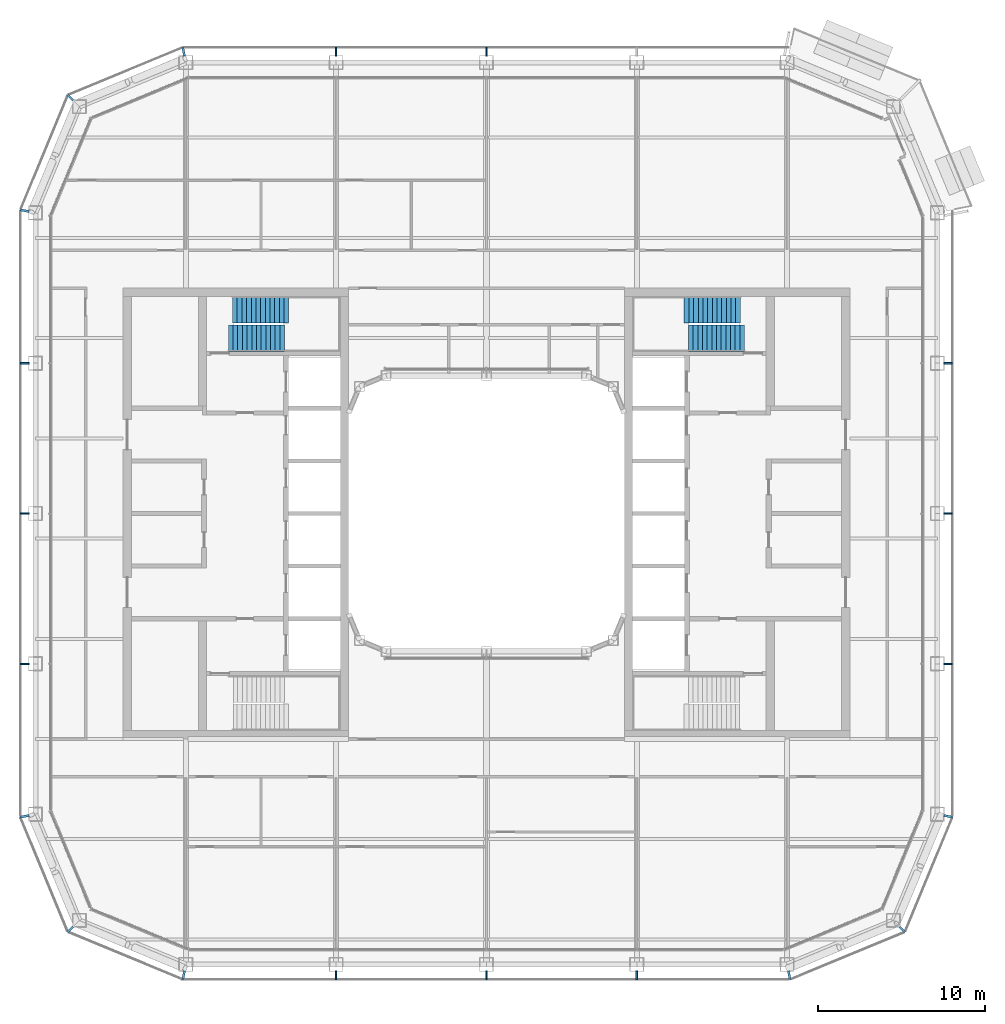
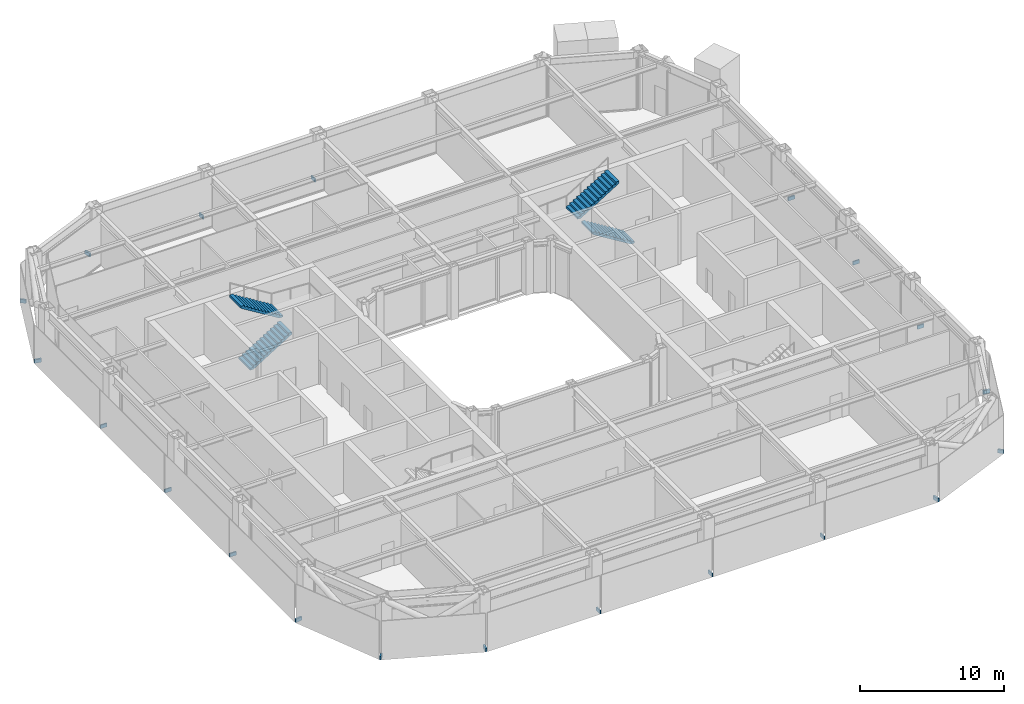
# One storey, part 16 of 23: 20 discrete accessories, 4 stair flights, 2 elements without a shape of their own.
"""IFC4 building model written with IfcOpenShell, lengths in metres."""

from ifc_helpers import new_model, si_unit, direction, frame, origin, origin_2d, place, context, subcontext, project, spatial, polyline, rectangle, outline, extrude, material, type_object, element, aggregate, save


model = new_model("IFC4")

# Units and contexts
model_context = context("Model", 3, precision=1e-05, world=origin(), true_north=direction((0.0, 1.0)))
body_context = subcontext(model_context, "Body", "Model", "MODEL_VIEW")
ifc_project = project(units=[si_unit("LENGTHUNIT", "METRE"), si_unit("AREAUNIT", "SQUARE_METRE"), si_unit("VOLUMEUNIT", "CUBIC_METRE"), si_unit("PLANEANGLEUNIT", "RADIAN"), si_unit("MASSUNIT", "GRAM", prefix="KILO")], contexts=[model_context])

# Site, building, storey
site_placement = place(None, origin())
site = spatial("IfcSite", under=ifc_project, at=site_placement, CompositionType="ELEMENT")
building_placement = place(site_placement, origin())
building = spatial("IfcBuilding", under=site, at=building_placement, Name="Siwar Civic Tower", CompositionType="ELEMENT")
storey_placement = place(building_placement, frame((0.0, 0.0, 224.199951171875)))
storey = spatial("IfcBuildingStorey", under=building, at=storey_placement, Name="L48", CompositionType="ELEMENT", Elevation=224.199951171875)

# Stair, stair flights
ifc_material_1 = material(Name="Concrete C40/50", Category="concrete")
stair_type = type_object("IfcStairType", Name="CORE-STAIR", PredefinedType="TWO_STRAIGHT_RUN_STAIR", material=ifc_material_1)
stair_1_placement = place(storey_placement, origin())
stair_1 = element("IfcStair", 1, at=stair_1_placement, inside=storey, type_object=stair_type, Name="Exit stair ST1", PredefinedType="TWO_STRAIGHT_RUN_STAIR")
ifc_material_2 = material(Name="Concrete C40/50", Category="concrete")
stair_flight_type = type_object("IfcStairFlightType", Name="CORE-STAIR-FLIGHT", PredefinedType="STRAIGHT", material=ifc_material_2)
stair_flight_1_placement = place(storey_placement, frame((-15.449951171875, 10.5, 0.0), z_axis=(0.0, 0.0, 1.0), x_axis=(1.0, 0.0, 0.0)))
stair_flight_1 = element("IfcStairFlight", 2, at=stair_flight_1_placement, type_object=stair_flight_type, Name="ST1 flight 1", NumberOfRisers=13, NumberOfTreads=12, PredefinedType="STRAIGHT", RiserHeight=0.173076923, TreadLength=0.28, context=body_context, shape_type="SweptSolid", body=[
    extrude(outline(polyline([(0.0, 0.0), (0.0, 0.173095703125), (0.280029296875, 0.173095703125), (0.280029296875, 0.34619140625), (0.56005859375, 0.34619140625), (0.56005859375, 0.519287109375), (0.840087890625, 0.519287109375), (0.840087890625, 0.6923828125), (1.1201171875, 0.6923828125), (1.1201171875, 0.865478515625), (1.39990234375, 0.865478515625), (1.39990234375, 1.03857421875), (1.679931640625, 1.03857421875), (1.679931640625, 1.21142578125), (1.9599609375, 1.21142578125), (1.9599609375, 1.384521484375), (2.239990234375, 1.384521484375), (2.239990234375, 1.5576171875), (2.52001953125, 1.5576171875), (2.52001953125, 1.730712890625), (2.800048828125, 1.730712890625), (2.800048828125, 1.90380859375), (3.080078125, 1.90380859375), (3.080078125, 2.076904296875), (3.360107421875, 2.076904296875), (3.360107421875, 2.25), (3.360107421875, 1.900634765625), (0.28515625, 0.0), (0.0, 0.0)])), frame((0.0, 0.800048828125, 0.0), z_axis=(0.0, -1.0, 0.0), x_axis=(1.0, 0.0, 0.0)), (0.0, 0.0, 1.0), 1.60009765625),
])
stair_flight_2_placement = place(storey_placement, frame((-11.840087890625, 12.199951171875, 2.25), z_axis=(0.0, 0.0, 1.0), x_axis=(-1.0, 0.0, 0.0)))
stair_flight_2 = element("IfcStairFlight", 3, at=stair_flight_2_placement, type_object=stair_flight_type, Name="ST1 flight 2", NumberOfRisers=13, NumberOfTreads=12, PredefinedType="STRAIGHT", RiserHeight=0.173076923, TreadLength=0.28, context=body_context, shape_type="SweptSolid", body=[
    extrude(outline(polyline([(0.0, 0.0), (0.0, 0.173095703125), (0.280029296875, 0.173095703125), (0.280029296875, 0.34619140625), (0.56005859375, 0.34619140625), (0.56005859375, 0.519287109375), (0.840087890625, 0.519287109375), (0.840087890625, 0.6923828125), (1.1201171875, 0.6923828125), (1.1201171875, 0.865478515625), (1.39990234375, 0.865478515625), (1.39990234375, 1.03857421875), (1.679931640625, 1.03857421875), (1.679931640625, 1.21142578125), (1.9599609375, 1.21142578125), (1.9599609375, 1.384521484375), (2.239990234375, 1.384521484375), (2.239990234375, 1.5576171875), (2.52001953125, 1.5576171875), (2.52001953125, 1.730712890625), (2.800048828125, 1.730712890625), (2.800048828125, 1.90380859375), (3.080078125, 1.90380859375), (3.080078125, 2.076904296875), (3.360107421875, 2.076904296875), (3.360107421875, 2.25), (3.360107421875, 1.900634765625), (0.28515625, 0.0), (0.0, 0.0)])), frame((0.0, 0.800048828125, 0.0), z_axis=(0.0, -1.0, 0.0), x_axis=(1.0, 0.0, 0.0)), (0.0, 0.0, 1.0), 1.60009765625),
])
aggregate(stair_1, [stair_flight_1, stair_flight_2])

stair_2_placement = place(storey_placement, origin())
stair_2 = element("IfcStair", 4, at=stair_2_placement, inside=storey, type_object=stair_type, Name="Exit stair ST3", PredefinedType="TWO_STRAIGHT_RUN_STAIR")
stair_flight_3_placement = place(storey_placement, frame((15.449951171875, 10.5, 0.0), z_axis=(0.0, 0.0, 1.0), x_axis=(-1.0, 0.0, 0.0)))
stair_flight_3 = element("IfcStairFlight", 5, at=stair_flight_3_placement, type_object=stair_flight_type, Name="ST3 flight 1", NumberOfRisers=13, NumberOfTreads=12, PredefinedType="STRAIGHT", RiserHeight=0.173076923, TreadLength=0.28, context=body_context, shape_type="SweptSolid", body=[
    extrude(outline(polyline([(0.0, 0.0), (0.0, 0.173095703125), (0.280029296875, 0.173095703125), (0.280029296875, 0.34619140625), (0.56005859375, 0.34619140625), (0.56005859375, 0.519287109375), (0.840087890625, 0.519287109375), (0.840087890625, 0.6923828125), (1.1201171875, 0.6923828125), (1.1201171875, 0.865478515625), (1.39990234375, 0.865478515625), (1.39990234375, 1.03857421875), (1.679931640625, 1.03857421875), (1.679931640625, 1.21142578125), (1.9599609375, 1.21142578125), (1.9599609375, 1.384521484375), (2.239990234375, 1.384521484375), (2.239990234375, 1.5576171875), (2.52001953125, 1.5576171875), (2.52001953125, 1.730712890625), (2.800048828125, 1.730712890625), (2.800048828125, 1.90380859375), (3.080078125, 1.90380859375), (3.080078125, 2.076904296875), (3.360107421875, 2.076904296875), (3.360107421875, 2.25), (3.360107421875, 1.900634765625), (0.28515625, 0.0), (0.0, 0.0)])), frame((0.0, 0.800048828125, 0.0), z_axis=(0.0, -1.0, 0.0), x_axis=(1.0, 0.0, 0.0)), (0.0, 0.0, 1.0), 1.60009765625),
])
stair_flight_4_placement = place(storey_placement, frame((11.840087890625, 12.199951171875, 2.25), z_axis=(0.0, 0.0, 1.0), x_axis=(1.0, 0.0, 0.0)))
stair_flight_4 = element("IfcStairFlight", 6, at=stair_flight_4_placement, type_object=stair_flight_type, Name="ST3 flight 2", NumberOfRisers=13, NumberOfTreads=12, PredefinedType="STRAIGHT", RiserHeight=0.173076923, TreadLength=0.28, context=body_context, shape_type="SweptSolid", body=[
    extrude(outline(polyline([(0.0, 0.0), (0.0, 0.173095703125), (0.280029296875, 0.173095703125), (0.280029296875, 0.34619140625), (0.56005859375, 0.34619140625), (0.56005859375, 0.519287109375), (0.840087890625, 0.519287109375), (0.840087890625, 0.6923828125), (1.1201171875, 0.6923828125), (1.1201171875, 0.865478515625), (1.39990234375, 0.865478515625), (1.39990234375, 1.03857421875), (1.679931640625, 1.03857421875), (1.679931640625, 1.21142578125), (1.9599609375, 1.21142578125), (1.9599609375, 1.384521484375), (2.239990234375, 1.384521484375), (2.239990234375, 1.5576171875), (2.52001953125, 1.5576171875), (2.52001953125, 1.730712890625), (2.800048828125, 1.730712890625), (2.800048828125, 1.90380859375), (3.080078125, 1.90380859375), (3.080078125, 2.076904296875), (3.360107421875, 2.076904296875), (3.360107421875, 2.25), (3.360107421875, 1.900634765625), (0.28515625, 0.0), (0.0, 0.0)])), frame((0.0, 0.800048828125, 0.0), z_axis=(0.0, -1.0, 0.0), x_axis=(1.0, 0.0, 0.0)), (0.0, 0.0, 1.0), 1.60009765625),
])
aggregate(stair_2, [stair_flight_3, stair_flight_4])

# Discrete accessories
ifc_material_3 = material(Name="Stainless steel 316", Category="steel")
discrete_accessory_type = type_object("IfcDiscreteAccessoryType", Name="ENV-BRACKET", PredefinedType="BRACKET", material=ifc_material_3)
for number, where, z_axis, x_axis, name in (
    (7, (27.639892578125, -9.0, -0.14990234375), (0.0, 0.0, 1.0), (1.0, 0.0, 0.0), "Bracket outer skin joint E-01"),
    (8, (27.639892578125, 0.0, -0.14990234375), (0.0, 0.0, 1.0), (1.0, 0.0, 0.0), "Bracket outer skin joint E-02"),
    (9, (27.639892578125, 9.0, -0.14990234375), (0.0, 0.0, 1.0), (1.0, 0.0, 0.0), "Bracket outer skin joint E-03"),
    (10, (0.0, 27.639892578125, -0.14990234375), (0.0, 0.0, 1.0), (0.0, 1.0, 0.0), "Bracket outer skin joint N-02"),
    (11, (-9.0, 27.639892578125, -0.14990234375), (0.0, 0.0, 1.0), (0.0, 1.0, 0.0), "Bracket outer skin joint N-03"),
    (12, (-9.0, -27.639892578125, -0.14990234375), (0.0, 0.0, 1.0), (0.0, -1.0, 0.0), "Bracket outer skin joint S-01"),
    (13, (0.0, -27.639892578125, -0.14990234375), (0.0, 0.0, 1.0), (0.0, -1.0, 0.0), "Bracket outer skin joint S-02"),
    (14, (9.0, -27.639892578125, -0.14990234375), (0.0, 0.0, 1.0), (0.0, -1.0, 0.0), "Bracket outer skin joint S-03"),
):
    element("IfcDiscreteAccessory", number, at=place(storey_placement, frame(where, z_axis=z_axis, x_axis=x_axis)), inside=storey, type_object=discrete_accessory_type, Name=name, PredefinedType="BRACKET", context=body_context, shape_type="SweptSolid", body=[
        extrude(rectangle(XDim=0.52001953125, YDim=0.10009765625, at=origin_2d()), origin(), (0.0, 0.0, 1.0), 0.300048828125),
    ])
for number, where, z_axis, x_axis, name in (
    (15, (-18.12744140625, -27.64013671875, -0.14990234375), (0.0, 0.0, 1.0), (-0.195090322016, -0.980785280403, 0.0), "Bracket outer skin joint V00"),
    (16, (18.12744140625, -27.64013671875, -0.14990234375), (0.0, 0.0, 1.0), (0.195090322016, -0.980785280403, 0.0), "Bracket outer skin joint V01"),
):
    element("IfcDiscreteAccessory", number, at=place(storey_placement, frame(where, z_axis=z_axis, x_axis=x_axis)), inside=storey, type_object=discrete_accessory_type, Name=name, PredefinedType="BRACKET", context=body_context, shape_type="SweptSolid", body=[
        extrude(rectangle(XDim=0.52978515625, YDim=0.13720703125, at=origin_2d()), origin(), (0.0, 0.0, 1.0), 0.300048828125),
    ])
discrete_accessory_1_placement = place(storey_placement, frame((24.9013671875, -24.9013671875, -0.14990234375), z_axis=(0.0, 0.0, 1.0), x_axis=(0.707106781187, -0.707106781187, 0.0)))
element("IfcDiscreteAccessory", 17, at=discrete_accessory_1_placement, inside=storey, type_object=discrete_accessory_type, Name="Bracket outer skin joint V02", PredefinedType="BRACKET", context=body_context, shape_type="SweptSolid", body=[
    extrude(rectangle(XDim=0.428466796875, YDim=0.12939453125, at=origin_2d()), origin(), (0.0, 0.0, 1.0), 0.300048828125),
])
for number, where, z_axis, x_axis, name in (
    (18, (27.64013671875, -18.12744140625, -0.14990234375), (0.0, 0.0, 1.0), (0.980785280403, -0.195090322016, 0.0), "Bracket outer skin joint V03"),
    (19, (-18.12744140625, 27.64013671875, -0.14990234375), (0.0, 0.0, 1.0), (-0.195090322016, 0.980785280403, 0.0), "Bracket outer skin joint V07"),
):
    element("IfcDiscreteAccessory", number, at=place(storey_placement, frame(where, z_axis=z_axis, x_axis=x_axis)), inside=storey, type_object=discrete_accessory_type, Name=name, PredefinedType="BRACKET", context=body_context, shape_type="SweptSolid", body=[
        extrude(rectangle(XDim=0.52978515625, YDim=0.13720703125, at=origin_2d()), origin(), (0.0, 0.0, 1.0), 0.300048828125),
    ])
discrete_accessory_2_placement = place(storey_placement, frame((-24.9013671875, 24.9013671875, -0.14990234375), z_axis=(0.0, 0.0, 1.0), x_axis=(-0.707106781187, 0.707106781187, 0.0)))
element("IfcDiscreteAccessory", 20, at=discrete_accessory_2_placement, inside=storey, type_object=discrete_accessory_type, Name="Bracket outer skin joint V08", PredefinedType="BRACKET", context=body_context, shape_type="SweptSolid", body=[
    extrude(rectangle(XDim=0.428466796875, YDim=0.12939453125, at=origin_2d()), origin(), (0.0, 0.0, 1.0), 0.300048828125),
])
for number, where, z_axis, x_axis, name in (
    (21, (-27.64013671875, 18.12744140625, -0.14990234375), (0.0, 0.0, 1.0), (-0.980785280403, 0.195090322016, 0.0), "Bracket outer skin joint V09"),
    (22, (-27.64013671875, -18.12744140625, -0.14990234375), (0.0, 0.0, 1.0), (-0.980785280403, -0.195090322016, 0.0), "Bracket outer skin joint V10"),
):
    element("IfcDiscreteAccessory", number, at=place(storey_placement, frame(where, z_axis=z_axis, x_axis=x_axis)), inside=storey, type_object=discrete_accessory_type, Name=name, PredefinedType="BRACKET", context=body_context, shape_type="SweptSolid", body=[
        extrude(rectangle(XDim=0.52978515625, YDim=0.13720703125, at=origin_2d()), origin(), (0.0, 0.0, 1.0), 0.300048828125),
    ])
discrete_accessory_3_placement = place(storey_placement, frame((-24.9013671875, -24.9013671875, -0.14990234375), z_axis=(0.0, 0.0, 1.0), x_axis=(-0.707106781187, -0.707106781187, 0.0)))
element("IfcDiscreteAccessory", 23, at=discrete_accessory_3_placement, inside=storey, type_object=discrete_accessory_type, Name="Bracket outer skin joint V11", PredefinedType="BRACKET", context=body_context, shape_type="SweptSolid", body=[
    extrude(rectangle(XDim=0.428466796875, YDim=0.12939453125, at=origin_2d()), origin(), (0.0, 0.0, 1.0), 0.300048828125),
])
for number, where, z_axis, x_axis, name in (
    (24, (-27.639892578125, 9.0, -0.14990234375), (0.0, 0.0, 1.0), (-1.0, 0.0, 0.0), "Bracket outer skin joint W-01"),
    (25, (-27.639892578125, 0.0, -0.14990234375), (0.0, 0.0, 1.0), (-1.0, 0.0, 0.0), "Bracket outer skin joint W-02"),
    (26, (-27.639892578125, -9.0, -0.14990234375), (0.0, 0.0, 1.0), (-1.0, 0.0, 0.0), "Bracket outer skin joint W-03"),
):
    element("IfcDiscreteAccessory", number, at=place(storey_placement, frame(where, z_axis=z_axis, x_axis=x_axis)), inside=storey, type_object=discrete_accessory_type, Name=name, PredefinedType="BRACKET", context=body_context, shape_type="SweptSolid", body=[
        extrude(rectangle(XDim=0.52001953125, YDim=0.10009765625, at=origin_2d()), origin(), (0.0, 0.0, 1.0), 0.300048828125),
    ])

save(model, "model.ifc")
